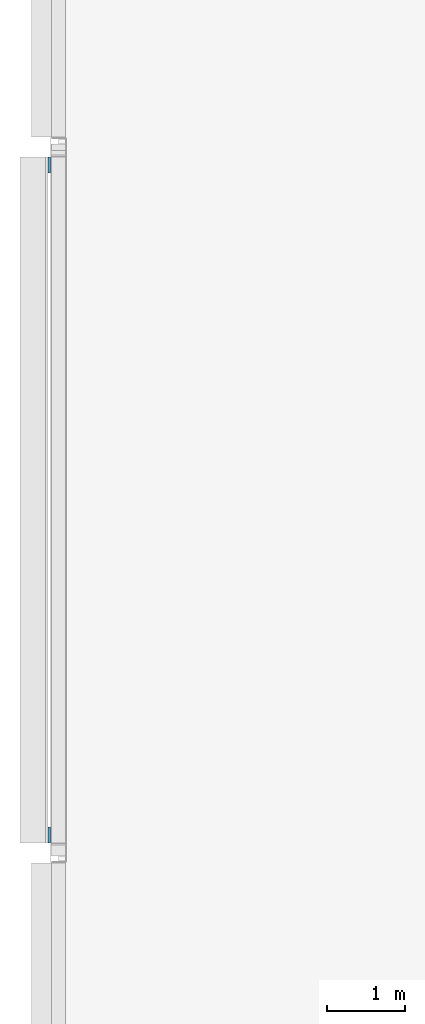
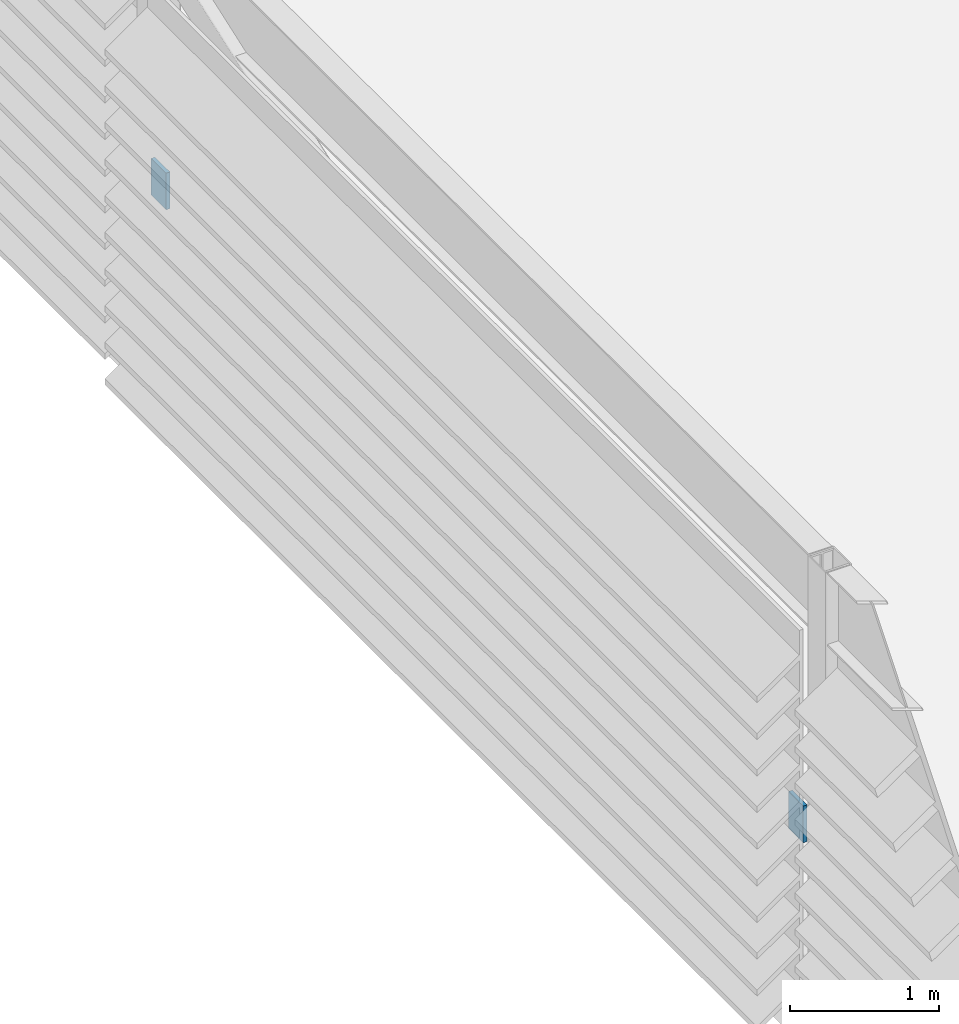
# One storey, part 20 of 28: 2 discrete accessories.
"""IFC4 building model written with IfcOpenShell, lengths in metres."""

from ifc_helpers import new_model, si_unit, direction, frame, origin, origin_2d, place, context, subcontext, project, spatial, rectangle, extrude, material, type_object, element, save


model = new_model("IFC4")

# Units and contexts
model_context = context("Model", 3, precision=1e-05, world=origin(), true_north=direction((0.0, 1.0)))
body_context = subcontext(model_context, "Body", "Model", "MODEL_VIEW")
ifc_project = project(units=[si_unit("LENGTHUNIT", "METRE"), si_unit("AREAUNIT", "SQUARE_METRE"), si_unit("VOLUMEUNIT", "CUBIC_METRE"), si_unit("PLANEANGLEUNIT", "RADIAN"), si_unit("MASSUNIT", "GRAM", prefix="KILO")], contexts=[model_context])

# Site, building, storey
site_placement = place(None, origin())
site = spatial("IfcSite", under=ifc_project, at=site_placement, CompositionType="ELEMENT")
building_placement = place(site_placement, origin())
building = spatial("IfcBuilding", under=site, at=building_placement, Name="Madar Terraces", CompositionType="ELEMENT")
storey_placement = place(building_placement, frame((0.0, 0.0, 310.10009765625)))
storey = spatial("IfcBuildingStorey", under=building, at=storey_placement, Name="L80", CompositionType="ELEMENT", Elevation=310.10009765625)

# Discrete accessories
ifc_material = material(Name="Steel, galvanised", Category="steel")
discrete_accessory_type = type_object("IfcDiscreteAccessoryType", Name="Louvre bank bracket", PredefinedType="BRACKET", material=ifc_material)
for number, where, z_axis, x_axis, name in (
    (1, (1.08349609375, 32.77294921875, 1.44873046875), (0.0, 0.0, 1.0), (0.0, -1.0, 0.0), "Louvre bank bracket"),
    (2, (1.08349609375, 24.22705078125, 1.44873046875), (0.0, 0.0, 1.0), (0.0, -1.0, 0.0), "Louvre bank bracket"),
):
    element("IfcDiscreteAccessory", number, at=place(storey_placement, frame(where, z_axis=z_axis, x_axis=x_axis)), inside=storey, type_object=discrete_accessory_type, Name=name, PredefinedType="BRACKET", context=body_context, shape_type="SweptSolid", body=[
        extrude(rectangle(XDim=0.199951171875, YDim=0.030029296875, at=origin_2d()), origin(), (0.0, 0.0, 1.0), 0.300048828125),
    ])

save(model, "model.ifc")
